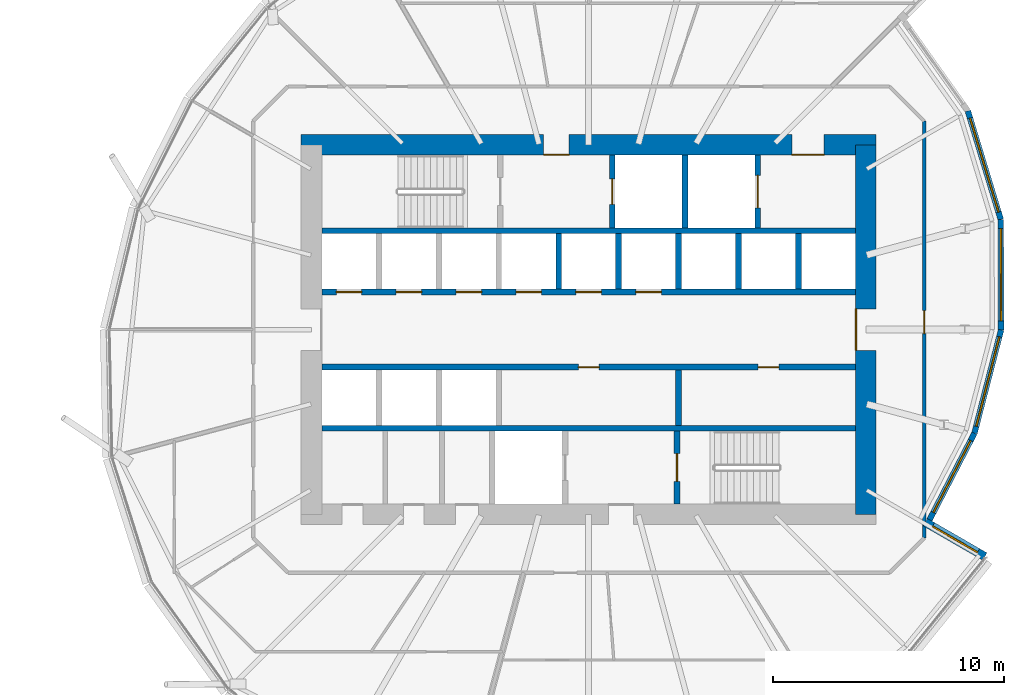
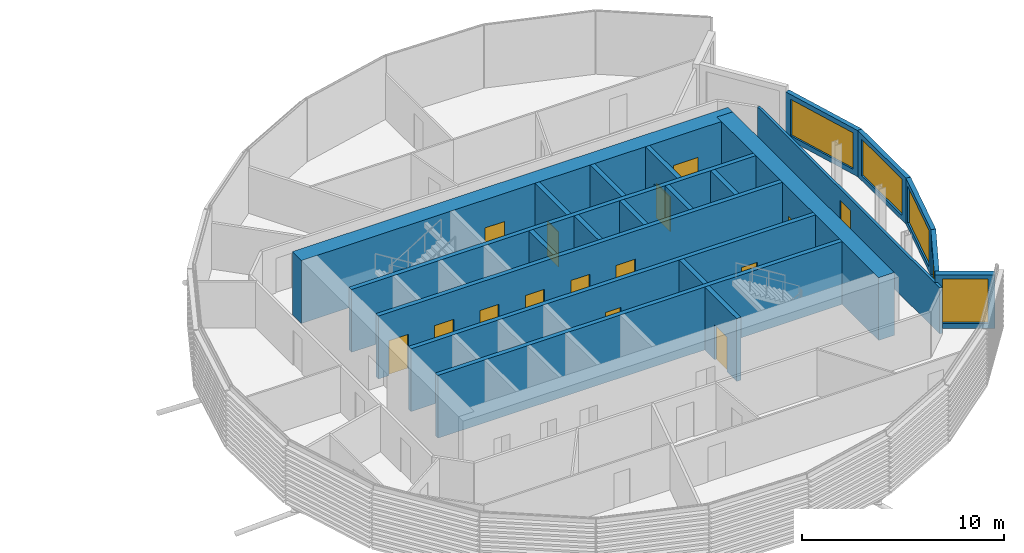
# One storey, part 23 of 36: 22 walls, 15 doors, 5 windows, 20 openings.
"""IFC4 building model written with IfcOpenShell, lengths in metres."""

from ifc_helpers import new_model, si_unit, direction, frame, frame_2d, origin, place, context, subcontext, project, spatial, rectangle, extrude, material, layer, layer_set, type_object, element, fill, save


model = new_model("IFC4")

# Units and contexts
model_context = context("Model", 3, precision=1e-05, world=origin(), true_north=direction((0.0, 1.0)))
body_context = subcontext(model_context, "Body", "Model", "MODEL_VIEW")
ifc_project = project(units=[si_unit("LENGTHUNIT", "METRE"), si_unit("AREAUNIT", "SQUARE_METRE"), si_unit("VOLUMEUNIT", "CUBIC_METRE"), si_unit("PLANEANGLEUNIT", "RADIAN"), si_unit("MASSUNIT", "GRAM", prefix="KILO")], contexts=[model_context])

# Site, building, storey
site_placement = place(None, origin())
site = spatial("IfcSite", under=ifc_project, at=site_placement, CompositionType="ELEMENT")
building_placement = place(site_placement, origin())
building = spatial("IfcBuilding", under=site, at=building_placement, Name="Rimbun Link Towers", CompositionType="ELEMENT")
storey_placement = place(building_placement, frame((0.0, 0.0, 37.60009765625)))
storey = spatial("IfcBuildingStorey", under=building, at=storey_placement, Name="L08", CompositionType="ELEMENT", Elevation=37.60009765625)

# Wall, opening, window
ifc_material_1 = material(Name="Dark enamelled glass spandrel on insulated aluminium backpan", Category="aluminium")
ifc_layer_1 = layer(ifc_material_1, 0.25)
ifc_layer_set_1 = layer_set([ifc_layer_1], Name="CS dark enamelled spandrel wall 250")
wall_type_1 = type_object("IfcWallType", Name="CS dark enamelled spandrel wall 250", PredefinedType="STANDARD", material=ifc_layer_set_1)
wall_1_placement = place(storey_placement, frame((48.45458984375, -4.489501953125, 0.0), z_axis=(0.0, 0.0, 1.0), x_axis=(-0.460198913601, -0.887815836714, 0.0)))
wall_1 = element("IfcWall", 1, at=wall_1_placement, inside=storey, type_object=wall_type_1, Name="Crease spandrel wall", PredefinedType="STANDARD", context=body_context, shape_type="SweptSolid", body=[
    extrude(rectangle(XDim=4.218505859375, YDim=0.25, at=frame_2d((2.109375, 0.0))), origin(), (0.0, 0.0, 1.0), 2.789306640625),
])
opening_1_placement = place(wall_1_placement, frame((0.359375, 0.0, 0.300048828125)))
opening_1 = element("IfcOpeningElement", 2, at=opening_1_placement, cuts=wall_1, Name="Opening WR35H220", PredefinedType="OPENING", context=body_context, shape_type="SweptSolid", body=[
    extrude(rectangle(XDim=3.5, YDim=2.199951171875, at=frame_2d((1.75, 1.10009765625))), frame((0.0, 0.135009765625, 0.0), z_axis=(0.0, -1.0, 0.0), x_axis=(1.0, 0.0, 0.0)), (0.0, 0.0, 1.0), 0.27001953125),
])
ifc_material_2 = material(Name="Aluminium framed fixed window, dark tinted low-e glass", Category="aluminium")
window_type_1 = type_object("IfcWindowType", Name="WR ribbon window 3500X2200", PartitioningType="SINGLE_PANEL", PredefinedType="WINDOW", material=ifc_material_2)
window_1_placement = place(opening_1_placement, origin())
window_1 = element("IfcWindow", 3, at=window_1_placement, inside=storey, type_object=window_type_1, Name="Crease ribbon window", OverallHeight=2.199951171875, OverallWidth=3.5, PartitioningType="SINGLE_PANEL", PredefinedType="WINDOW", context=body_context, shape_type="SweptSolid", body=[
    extrude(rectangle(XDim=3.5, YDim=2.199951171875, at=frame_2d((1.75, 1.10009765625))), frame((0.0, 0.030029296875, 0.0), z_axis=(0.0, -1.0, 0.0), x_axis=(1.0, 0.0, 0.0)), (0.0, 0.0, 1.0), 0.06005859375),
])
fill(opening_1, window_1)

wall_2_placement = place(storey_placement, frame((49.608642578125, -0.015625, 0.0), z_axis=(0.0, 0.0, 1.0), x_axis=(-0.249777337068, -0.968303300566, 0.0)))
wall_2 = element("IfcWall", 4, at=wall_2_placement, inside=storey, type_object=wall_type_1, Name="Crease spandrel wall", PredefinedType="STANDARD", context=body_context, shape_type="SweptSolid", body=[
    extrude(rectangle(XDim=4.620361328125, YDim=0.25, at=frame_2d((2.31005859375, 0.0))), origin(), (0.0, 0.0, 1.0), 2.789306640625),
])
opening_2_placement = place(wall_2_placement, frame((0.31005859375, 0.0, 0.300048828125)))
opening_2 = element("IfcOpeningElement", 5, at=opening_2_placement, cuts=wall_2, Name="Opening WR40H220", PredefinedType="OPENING", context=body_context, shape_type="SweptSolid", body=[
    extrude(rectangle(XDim=4.0, YDim=2.199951171875, at=frame_2d((2.0, 1.10009765625))), frame((0.0, 0.135009765625, 0.0), z_axis=(0.0, -1.0, 0.0), x_axis=(1.0, 0.0, 0.0)), (0.0, 0.0, 1.0), 0.27001953125),
])
ifc_material_3 = material(Name="Aluminium framed fixed window, dark tinted low-e glass", Category="aluminium")
window_type_2 = type_object("IfcWindowType", Name="WR ribbon window 4000X2200", PartitioningType="SINGLE_PANEL", PredefinedType="WINDOW", material=ifc_material_3)
window_2_placement = place(opening_2_placement, origin())
window_2 = element("IfcWindow", 6, at=window_2_placement, inside=storey, type_object=window_type_2, Name="Crease ribbon window", OverallHeight=2.199951171875, OverallWidth=4.0, PartitioningType="SINGLE_PANEL", PredefinedType="WINDOW", context=body_context, shape_type="SweptSolid", body=[
    extrude(rectangle(XDim=4.0, YDim=2.199951171875, at=frame_2d((2.0, 1.10009765625))), frame((0.0, 0.030029296875, 0.0), z_axis=(0.0, -1.0, 0.0), x_axis=(1.0, 0.0, 0.0)), (0.0, 0.0, 1.0), 0.06005859375),
])
fill(opening_2, window_2)

wall_3_placement = place(storey_placement, frame((49.59423828125, 4.7666015625, 0.0), z_axis=(0.0, 0.0, 1.0), x_axis=(0.00301203453, -0.999995463814, 0.0)))
wall_3 = element("IfcWall", 7, at=wall_3_placement, inside=storey, type_object=wall_type_1, Name="Crease spandrel wall", PredefinedType="STANDARD", context=body_context, shape_type="SweptSolid", body=[
    extrude(rectangle(XDim=4.7822265625, YDim=0.25, at=frame_2d((2.39111328125, 0.0))), origin(), (0.0, 0.0, 1.0), 2.789306640625),
])
opening_3_placement = place(wall_3_placement, frame((0.39111328125, 0.0, 0.300048828125)))
opening_3 = element("IfcOpeningElement", 8, at=opening_3_placement, cuts=wall_3, Name="Opening WR40H220", PredefinedType="OPENING", context=body_context, shape_type="SweptSolid", body=[
    extrude(rectangle(XDim=4.0, YDim=2.199951171875, at=frame_2d((2.0, 1.10009765625))), frame((0.0, 0.135009765625, 0.0), z_axis=(0.0, -1.0, 0.0), x_axis=(1.0, 0.0, 0.0)), (0.0, 0.0, 1.0), 0.27001953125),
])
window_3_placement = place(opening_3_placement, origin())
window_3 = element("IfcWindow", 9, at=window_3_placement, inside=storey, type_object=window_type_2, Name="Crease ribbon window", OverallHeight=2.199951171875, OverallWidth=4.0, PartitioningType="SINGLE_PANEL", PredefinedType="WINDOW", context=body_context, shape_type="SweptSolid", body=[
    extrude(rectangle(XDim=4.0, YDim=2.199951171875, at=frame_2d((2.0, 1.10009765625))), frame((0.0, 0.030029296875, 0.0), z_axis=(0.0, -1.0, 0.0), x_axis=(1.0, 0.0, 0.0)), (0.0, 0.0, 1.0), 0.06005859375),
])
fill(opening_3, window_3)

wall_4_placement = place(storey_placement, frame((48.168701171875, 9.469482421875, 0.0), z_axis=(0.0, 0.0, 1.0), x_axis=(0.290085989359, -0.957000584523, 0.0)))
wall_4 = element("IfcWall", 10, at=wall_4_placement, inside=storey, type_object=wall_type_1, Name="Crease spandrel wall", PredefinedType="STANDARD", context=body_context, shape_type="SweptSolid", body=[
    extrude(rectangle(XDim=4.914306640625, YDim=0.25, at=frame_2d((2.45703125, 0.0))), origin(), (0.0, 0.0, 1.0), 2.789306640625),
])
opening_4_placement = place(wall_4_placement, frame((0.33203125, 0.0, 0.300048828125)))
opening_4 = element("IfcOpeningElement", 11, at=opening_4_placement, cuts=wall_4, Name="Opening WR42H220", PredefinedType="OPENING", context=body_context, shape_type="SweptSolid", body=[
    extrude(rectangle(XDim=4.25, YDim=2.199951171875, at=frame_2d((2.125, 1.10009765625))), frame((0.0, 0.135009765625, 0.0), z_axis=(0.0, -1.0, 0.0), x_axis=(1.0, 0.0, 0.0)), (0.0, 0.0, 1.0), 0.27001953125),
])
ifc_material_4 = material(Name="Aluminium framed fixed window, dark tinted low-e glass", Category="aluminium")
window_type_3 = type_object("IfcWindowType", Name="WR ribbon window 4250X2200", PartitioningType="SINGLE_PANEL", PredefinedType="WINDOW", material=ifc_material_4)
window_4_placement = place(opening_4_placement, origin())
window_4 = element("IfcWindow", 12, at=window_4_placement, inside=storey, type_object=window_type_3, Name="Crease ribbon window", OverallHeight=2.199951171875, OverallWidth=4.25, PartitioningType="SINGLE_PANEL", PredefinedType="WINDOW", context=body_context, shape_type="SweptSolid", body=[
    extrude(rectangle(XDim=4.25, YDim=2.199951171875, at=frame_2d((2.125, 1.10009765625))), frame((0.0, 0.030029296875, 0.0), z_axis=(0.0, -1.0, 0.0), x_axis=(1.0, 0.0, 0.0)), (0.0, 0.0, 1.0), 0.06005859375),
])
fill(opening_4, window_4)

ifc_material_5 = material(Name="Dark enamelled glass spandrel on insulated aluminium backpan", Category="aluminium")
ifc_layer_2 = layer(ifc_material_5, 0.3701171875)
ifc_layer_set_2 = layer_set([ifc_layer_2], Name="CS dark enamelled spandrel wall 370")
wall_type_2 = type_object("IfcWallType", Name="CS dark enamelled spandrel wall 370", PredefinedType="STANDARD", material=ifc_layer_set_2)
wall_5_placement = place(storey_placement, frame((46.322265625, -8.338134765625, 0.0), z_axis=(0.0, 0.0, 1.0), x_axis=(0.866031423615, -0.499989573202, 0.0)))
wall_5 = element("IfcWall", 13, at=wall_5_placement, inside=storey, type_object=wall_type_2, Name="Crease spandrel wall", PredefinedType="STANDARD", context=body_context, shape_type="SweptSolid", body=[
    extrude(rectangle(XDim=2.97998046875, YDim=0.3701171875, at=frame_2d((1.489990234375, 0.0))), origin(), (0.0, 0.0, 1.0), 3.223388671875),
])
opening_5_placement = place(wall_5_placement, frame((0.364990234375, 0.0, 0.300048828125)))
opening_5 = element("IfcOpeningElement", 14, at=opening_5_placement, cuts=wall_5, Name="Opening WR22H270", PredefinedType="OPENING", context=body_context, shape_type="SweptSolid", body=[
    extrude(rectangle(XDim=2.25, YDim=2.699951171875, at=frame_2d((1.125, 1.35009765625))), frame((0.0, 0.195068359375, 0.0), z_axis=(0.0, -1.0, 0.0), x_axis=(1.0, 0.0, 0.0)), (0.0, 0.0, 1.0), 0.39013671875),
])
ifc_material_6 = material(Name="Aluminium framed fixed window, dark tinted low-e glass", Category="aluminium")
window_type_4 = type_object("IfcWindowType", Name="WR ribbon window 2250X2700", PartitioningType="SINGLE_PANEL", PredefinedType="WINDOW", material=ifc_material_6)
window_5_placement = place(opening_5_placement, origin())
window_5 = element("IfcWindow", 15, at=window_5_placement, inside=storey, type_object=window_type_4, Name="Crease ribbon window", OverallHeight=2.699951171875, OverallWidth=2.25, PartitioningType="SINGLE_PANEL", PredefinedType="WINDOW", context=body_context, shape_type="SweptSolid", body=[
    extrude(rectangle(XDim=2.25, YDim=2.699951171875, at=frame_2d((1.125, 1.35009765625))), frame((0.0, 0.030029296875, 0.0), z_axis=(0.0, -1.0, 0.0), x_axis=(1.0, 0.0, 0.0)), (0.0, 0.0, 1.0), 0.06005859375),
])
fill(opening_5, window_5)

# Wall, openings, doors
ifc_material_7 = material(Name="Concrete C60/75", Category="concrete")
ifc_layer_3 = layer(ifc_material_7, 0.89990234375)
ifc_layer_set_3 = layer_set([ifc_layer_3], Name="Core shear wall 900")
wall_type_3 = type_object("IfcWallType", Name="Core shear wall 900", PredefinedType="SHEAR", material=ifc_layer_set_3)
wall_6_placement = place(storey_placement, frame((19.300048828125, 8.0, 0.0), z_axis=(0.0, 0.0, 1.0), x_axis=(1.0, 0.0, 0.0)))
wall_6 = element("IfcWall", 16, at=wall_6_placement, inside=storey, type_object=wall_type_3, Name="L08 T2 core wall N", PredefinedType="SHEAR", context=body_context, shape_type="SweptSolid", body=[
    extrude(rectangle(XDim=24.89990234375, YDim=0.89990234375, at=frame_2d((12.449951171875, 0.0))), origin(), (0.0, 0.0, 1.0), 3.7998046875),
])
opening_6_placement = place(wall_6_placement, frame((10.5, 0.0, 0.0)))
opening_6 = element("IfcOpeningElement", 17, at=opening_6_placement, cuts=wall_6, Name="Opening C2DCF01N", PredefinedType="OPENING", context=body_context, shape_type="SweptSolid", body=[
    extrude(rectangle(XDim=1.10009765625, YDim=2.10009765625, at=frame_2d((0.550048828125, 1.050048828125))), frame((0.0, 0.4599609375, 0.0), z_axis=(0.0, -1.0, 0.0), x_axis=(1.0, 0.0, 0.0)), (0.0, 0.0, 1.0), 0.919921875),
])
opening_7_placement = place(wall_6_placement, frame((21.25, 0.0, 0.0)))
opening_7 = element("IfcOpeningElement", 18, at=opening_7_placement, cuts=wall_6, Name="Opening C2DSL02N", PredefinedType="OPENING", context=body_context, shape_type="SweptSolid", body=[
    extrude(rectangle(XDim=1.39990234375, YDim=2.10009765625, at=frame_2d((0.699951171875, 1.050048828125))), frame((0.0, 0.4599609375, 0.0), z_axis=(0.0, -1.0, 0.0), x_axis=(1.0, 0.0, 0.0)), (0.0, 0.0, 1.0), 0.919921875),
])
ifc_material_8 = material(Name="Steel fire door set", Category="steel")
door_type_1 = type_object("IfcDoorType", Name="Core fire door single", OperationType="SINGLE_SWING_LEFT", PredefinedType="DOOR", material=ifc_material_8)
door_1_placement = place(opening_6_placement, origin())
door_1 = element("IfcDoor", 19, at=door_1_placement, inside=storey, type_object=door_type_1, Name="L08 T2 firefighting lobby n door", OperationType="SINGLE_SWING_LEFT", OverallHeight=2.10009765625, OverallWidth=1.10009765625, PredefinedType="DOOR", context=body_context, shape_type="SweptSolid", body=[
    extrude(rectangle(XDim=1.10009765625, YDim=2.10009765625, at=frame_2d((0.550048828125, 1.050048828125))), frame((0.0, -0.39990234375, 0.0), z_axis=(0.0, -1.0, 0.0), x_axis=(1.0, 0.0, 0.0)), (0.0, 0.0, 1.0), 0.050048828125),
])
fill(opening_6, door_1)
ifc_material_9 = material(Name="Steel fire door set", Category="steel")
door_type_2 = type_object("IfcDoorType", Name="Service lobby door double", OperationType="DOUBLE_DOOR_SINGLE_SWING", PredefinedType="DOOR", material=ifc_material_9)
door_2_placement = place(opening_7_placement, origin())
door_2 = element("IfcDoor", 20, at=door_2_placement, inside=storey, type_object=door_type_2, Name="L08 T2 service lobby door", OperationType="DOUBLE_DOOR_SINGLE_SWING", OverallHeight=2.10009765625, OverallWidth=1.39990234375, PredefinedType="DOOR", context=body_context, shape_type="SweptSolid", body=[
    extrude(rectangle(XDim=1.39990234375, YDim=2.10009765625, at=frame_2d((0.699951171875, 1.050048828125))), frame((0.0, -0.39990234375, 0.0), z_axis=(0.0, -1.0, 0.0), x_axis=(1.0, 0.0, 0.0)), (0.0, 0.0, 1.0), 0.050048828125),
])
fill(opening_7, door_2)

# Wall, opening, door
wall_7_placement = place(storey_placement, frame((43.75, -8.0, 0.0), z_axis=(0.0, 0.0, 1.0), x_axis=(0.0, 1.0, 0.0)))
wall_7 = element("IfcWall", 21, at=wall_7_placement, inside=storey, type_object=wall_type_3, Name="L08 T2 core wall E", PredefinedType="SHEAR", context=body_context, shape_type="SweptSolid", body=[
    extrude(rectangle(XDim=16.0, YDim=0.89990234375, at=frame_2d((8.0, 0.0))), origin(), (0.0, 0.0, 1.0), 3.7998046875),
])
opening_8_placement = place(wall_7_placement, frame((7.10009765625, 0.0, 0.0)))
opening_8 = element("IfcOpeningElement", 22, at=opening_8_placement, cuts=wall_7, Name="Opening C2DCL01E", PredefinedType="OPENING", context=body_context, shape_type="SweptSolid", body=[
    extrude(rectangle(XDim=1.800048828125, YDim=2.10009765625, at=frame_2d((0.89990234375, 1.050048828125))), frame((0.0, 0.4599609375, 0.0), z_axis=(0.0, -1.0, 0.0), x_axis=(1.0, 0.0, 0.0)), (0.0, 0.0, 1.0), 0.919921875),
])
ifc_material_10 = material(Name="Steel fire door set", Category="steel")
door_type_3 = type_object("IfcDoorType", Name="Core lobby door double", OperationType="DOUBLE_DOOR_SINGLE_SWING", PredefinedType="DOOR", material=ifc_material_10)
door_3_placement = place(opening_8_placement, origin())
door_3 = element("IfcDoor", 23, at=door_3_placement, inside=storey, type_object=door_type_3, Name="L08 T2 lift lobby door", OperationType="DOUBLE_DOOR_SINGLE_SWING", OverallHeight=2.10009765625, OverallWidth=1.800048828125, PredefinedType="DOOR", context=body_context, shape_type="SweptSolid", body=[
    extrude(rectangle(XDim=1.800048828125, YDim=2.10009765625, at=frame_2d((0.89990234375, 1.050048828125))), frame((0.0, 0.4501953125, 0.0), z_axis=(0.0, -1.0, 0.0), x_axis=(1.0, 0.0, 0.0)), (0.0, 0.0, 1.0), 0.050048828125),
])
fill(opening_8, door_3)

ifc_material_11 = material(Name="Plasterboard on steel stud, mineral wool", Category="steel")
ifc_layer_4 = layer(ifc_material_11, 0.14990234375)
ifc_layer_set_4 = layer_set([ifc_layer_4], Name="Corridor wall EI 30 150 mm")
wall_type_4 = type_object("IfcWallType", Name="Corridor wall EI 30 150 mm", PredefinedType="PARTITIONING", material=ifc_layer_set_4)
wall_8_placement = place(storey_placement, frame((46.27490234375, 9.026611328125, 0.0), z_axis=(0.0, 0.0, 1.0), x_axis=(0.0, -1.0, 0.0)))
wall_8 = element("IfcWall", 24, at=wall_8_placement, inside=storey, type_object=wall_type_4, Name="Corridor wall EI 30 150 mm", PredefinedType="PARTITIONING", context=body_context, shape_type="SweptSolid", body=[
    extrude(rectangle(XDim=18.05322265625, YDim=0.14990234375, at=frame_2d((9.026611328125, 0.0))), origin(), (0.0, 0.0, 1.0), 2.77880859375),
])
opening_9_placement = place(wall_8_placement, frame((8.206298828125, 0.0, 0.0)))
opening_9 = element("IfcOpeningElement", 25, at=opening_9_placement, cuts=wall_8, Name="Opening D01", PredefinedType="OPENING", context=body_context, shape_type="SweptSolid", body=[
    extrude(rectangle(XDim=1.0, YDim=2.10009765625, at=frame_2d((0.5, 1.050048828125))), frame((0.0, 0.0849609375, 0.0), z_axis=(0.0, -1.0, 0.0), x_axis=(1.0, 0.0, 0.0)), (0.0, 0.0, 1.0), 0.169921875),
])
ifc_material_12 = material(Name="Fire-resisting timber door leaf", Category="wood")
door_type_4 = type_object("IfcDoorType", Name="Fire door FD30S 1000", OperationType="NOTDEFINED", PredefinedType="DOOR", material=ifc_material_12)
door_4_placement = place(opening_9_placement, origin())
door_4 = element("IfcDoor", 26, at=door_4_placement, inside=storey, type_object=door_type_4, Name="Fire door FD30S 1000 to Terrace office", OperationType="SINGLE_SWING_RIGHT", OverallHeight=2.10009765625, OverallWidth=1.0, PredefinedType="DOOR", context=body_context, shape_type="SweptSolid", body=[
    extrude(rectangle(XDim=1.0, YDim=2.10009765625, at=frame_2d((0.5, 1.050048828125))), frame((0.0, 0.02490234375, 0.0), z_axis=(0.0, -1.0, 0.0), x_axis=(1.0, 0.0, 0.0)), (0.0, 0.0, 1.0), 0.050048828125),
])
fill(opening_9, door_4)

# Walls
ifc_material_13 = material(Name="Concrete C60/75", Category="concrete")
ifc_layer_5 = layer(ifc_material_13, 0.25)
ifc_layer_set_5 = layer_set([ifc_layer_5], Name="Shaft wall 250")
wall_type_5 = type_object("IfcWallType", Name="Shaft wall 250", PredefinedType="SHEAR", material=ifc_layer_set_5)
for number, where, z_axis, x_axis, name in (
    (27, (20.199951171875, 4.27490234375, 0.0), (0.0, 0.0, 1.0), (1.0, 0.0, 0.0), "L08 T2 core wall BN"),
    (28, (20.199951171875, -4.27490234375, 0.0), (0.0, 0.0, 1.0), (1.0, 0.0, 0.0), "L08 T2 core wall BS"),
):
    element("IfcWall", number, at=place(storey_placement, frame(where, z_axis=z_axis, x_axis=x_axis)), inside=storey, type_object=wall_type_5, Name=name, PredefinedType="SHEAR", context=body_context, shape_type="SweptSolid", body=[
        extrude(rectangle(XDim=23.10009765625, YDim=0.25, at=frame_2d((11.550048828125, 0.0))), origin(), (0.0, 0.0, 1.0), 3.7998046875),
    ])

# Wall, openings, doors
wall_9_placement = place(storey_placement, frame((20.199951171875, 1.625, 0.0), z_axis=(0.0, 0.0, 1.0), x_axis=(1.0, 0.0, 0.0)))
wall_9 = element("IfcWall", 29, at=wall_9_placement, inside=storey, type_object=wall_type_5, Name="L08 T2 core wall FN", PredefinedType="SHEAR", context=body_context, shape_type="SweptSolid", body=[
    extrude(rectangle(XDim=23.10009765625, YDim=0.25, at=frame_2d((11.550048828125, 0.0))), origin(), (0.0, 0.0, 1.0), 3.7998046875),
])
opening_10_placement = place(wall_9_placement, frame((0.622314453125, 0.0, 0.0)))
opening_10 = element("IfcOpeningElement", 30, at=opening_10_placement, cuts=wall_9, Name="Opening LD-T2-LR1", PredefinedType="OPENING", context=body_context, shape_type="SweptSolid", body=[
    extrude(rectangle(XDim=1.10009765625, YDim=2.10009765625, at=frame_2d((0.550048828125, 1.050048828125))), frame((0.0, 0.135009765625, 0.0), z_axis=(0.0, -1.0, 0.0), x_axis=(1.0, 0.0, 0.0)), (0.0, 0.0, 1.0), 0.27001953125),
])
opening_11_placement = place(wall_9_placement, frame((3.216796875, 0.0, 0.0)))
opening_11 = element("IfcOpeningElement", 31, at=opening_11_placement, cuts=wall_9, Name="Opening LD-T2-LR2", PredefinedType="OPENING", context=body_context, shape_type="SweptSolid", body=[
    extrude(rectangle(XDim=1.10009765625, YDim=2.10009765625, at=frame_2d((0.550048828125, 1.050048828125))), frame((0.0, 0.135009765625, 0.0), z_axis=(0.0, -1.0, 0.0), x_axis=(1.0, 0.0, 0.0)), (0.0, 0.0, 1.0), 0.27001953125),
])
opening_12_placement = place(wall_9_placement, frame((5.81103515625, 0.0, 0.0)))
opening_12 = element("IfcOpeningElement", 32, at=opening_12_placement, cuts=wall_9, Name="Opening LD-T2-LR3", PredefinedType="OPENING", context=body_context, shape_type="SweptSolid", body=[
    extrude(rectangle(XDim=1.10009765625, YDim=2.10009765625, at=frame_2d((0.550048828125, 1.050048828125))), frame((0.0, 0.135009765625, 0.0), z_axis=(0.0, -1.0, 0.0), x_axis=(1.0, 0.0, 0.0)), (0.0, 0.0, 1.0), 0.27001953125),
])
opening_13_placement = place(wall_9_placement, frame((8.405517578125, 0.0, 0.0)))
opening_13 = element("IfcOpeningElement", 33, at=opening_13_placement, cuts=wall_9, Name="Opening LD-T2-LR4", PredefinedType="OPENING", context=body_context, shape_type="SweptSolid", body=[
    extrude(rectangle(XDim=1.10009765625, YDim=2.10009765625, at=frame_2d((0.550048828125, 1.050048828125))), frame((0.0, 0.135009765625, 0.0), z_axis=(0.0, -1.0, 0.0), x_axis=(1.0, 0.0, 0.0)), (0.0, 0.0, 1.0), 0.27001953125),
])
opening_14_placement = place(wall_9_placement, frame((11.0, 0.0, 0.0)))
opening_14 = element("IfcOpeningElement", 34, at=opening_14_placement, cuts=wall_9, Name="Opening LD-T2-LR5", PredefinedType="OPENING", context=body_context, shape_type="SweptSolid", body=[
    extrude(rectangle(XDim=1.10009765625, YDim=2.10009765625, at=frame_2d((0.550048828125, 1.050048828125))), frame((0.0, 0.135009765625, 0.0), z_axis=(0.0, -1.0, 0.0), x_axis=(1.0, 0.0, 0.0)), (0.0, 0.0, 1.0), 0.27001953125),
])
opening_15_placement = place(wall_9_placement, frame((13.594482421875, 0.0, 0.0)))
opening_15 = element("IfcOpeningElement", 35, at=opening_15_placement, cuts=wall_9, Name="Opening LD-T2-LR6", PredefinedType="OPENING", context=body_context, shape_type="SweptSolid", body=[
    extrude(rectangle(XDim=1.10009765625, YDim=2.10009765625, at=frame_2d((0.550048828125, 1.050048828125))), frame((0.0, 0.135009765625, 0.0), z_axis=(0.0, -1.0, 0.0), x_axis=(1.0, 0.0, 0.0)), (0.0, 0.0, 1.0), 0.27001953125),
])
ifc_material_14 = material(Name="Stainless steel grade 316", Category="steel")
door_type_5 = type_object("IfcDoorType", Name="Lift landing door", OperationType="DOUBLE_DOOR_SLIDING", PredefinedType="DOOR", material=ifc_material_14)
door_5_placement = place(opening_10_placement, origin())
door_5 = element("IfcDoor", 36, at=door_5_placement, inside=storey, type_object=door_type_5, Name="L08 T2 lift LR1 landing door", OperationType="DOUBLE_DOOR_SLIDING", OverallHeight=2.10009765625, OverallWidth=1.10009765625, PredefinedType="DOOR", context=body_context, shape_type="SweptSolid", body=[
    extrude(rectangle(XDim=1.10009765625, YDim=2.10009765625, at=frame_2d((0.550048828125, 1.050048828125))), frame((0.0, 0.02490234375, 0.0), z_axis=(0.0, -1.0, 0.0), x_axis=(1.0, 0.0, 0.0)), (0.0, 0.0, 1.0), 0.050048828125),
])
fill(opening_10, door_5)
door_6_placement = place(opening_11_placement, origin())
door_6 = element("IfcDoor", 37, at=door_6_placement, inside=storey, type_object=door_type_5, Name="L08 T2 lift LR2 landing door", OperationType="DOUBLE_DOOR_SLIDING", OverallHeight=2.10009765625, OverallWidth=1.10009765625, PredefinedType="DOOR", context=body_context, shape_type="SweptSolid", body=[
    extrude(rectangle(XDim=1.10009765625, YDim=2.10009765625, at=frame_2d((0.550048828125, 1.050048828125))), frame((0.0, 0.02490234375, 0.0), z_axis=(0.0, -1.0, 0.0), x_axis=(1.0, 0.0, 0.0)), (0.0, 0.0, 1.0), 0.050048828125),
])
fill(opening_11, door_6)
door_7_placement = place(opening_12_placement, origin())
door_7 = element("IfcDoor", 38, at=door_7_placement, inside=storey, type_object=door_type_5, Name="L08 T2 lift LR3 landing door", OperationType="DOUBLE_DOOR_SLIDING", OverallHeight=2.10009765625, OverallWidth=1.10009765625, PredefinedType="DOOR", context=body_context, shape_type="SweptSolid", body=[
    extrude(rectangle(XDim=1.10009765625, YDim=2.10009765625, at=frame_2d((0.550048828125, 1.050048828125))), frame((0.0, 0.02490234375, 0.0), z_axis=(0.0, -1.0, 0.0), x_axis=(1.0, 0.0, 0.0)), (0.0, 0.0, 1.0), 0.050048828125),
])
fill(opening_12, door_7)
door_8_placement = place(opening_13_placement, origin())
door_8 = element("IfcDoor", 39, at=door_8_placement, inside=storey, type_object=door_type_5, Name="L08 T2 lift LR4 landing door", OperationType="DOUBLE_DOOR_SLIDING", OverallHeight=2.10009765625, OverallWidth=1.10009765625, PredefinedType="DOOR", context=body_context, shape_type="SweptSolid", body=[
    extrude(rectangle(XDim=1.10009765625, YDim=2.10009765625, at=frame_2d((0.550048828125, 1.050048828125))), frame((0.0, 0.02490234375, 0.0), z_axis=(0.0, -1.0, 0.0), x_axis=(1.0, 0.0, 0.0)), (0.0, 0.0, 1.0), 0.050048828125),
])
fill(opening_13, door_8)
door_9_placement = place(opening_14_placement, origin())
door_9 = element("IfcDoor", 40, at=door_9_placement, inside=storey, type_object=door_type_5, Name="L08 T2 lift LR5 landing door", OperationType="DOUBLE_DOOR_SLIDING", OverallHeight=2.10009765625, OverallWidth=1.10009765625, PredefinedType="DOOR", context=body_context, shape_type="SweptSolid", body=[
    extrude(rectangle(XDim=1.10009765625, YDim=2.10009765625, at=frame_2d((0.550048828125, 1.050048828125))), frame((0.0, 0.02490234375, 0.0), z_axis=(0.0, -1.0, 0.0), x_axis=(1.0, 0.0, 0.0)), (0.0, 0.0, 1.0), 0.050048828125),
])
fill(opening_14, door_9)
door_10_placement = place(opening_15_placement, origin())
door_10 = element("IfcDoor", 41, at=door_10_placement, inside=storey, type_object=door_type_5, Name="L08 T2 lift LR6 landing door", OperationType="DOUBLE_DOOR_SLIDING", OverallHeight=2.10009765625, OverallWidth=1.10009765625, PredefinedType="DOOR", context=body_context, shape_type="SweptSolid", body=[
    extrude(rectangle(XDim=1.10009765625, YDim=2.10009765625, at=frame_2d((0.550048828125, 1.050048828125))), frame((0.0, 0.02490234375, 0.0), z_axis=(0.0, -1.0, 0.0), x_axis=(1.0, 0.0, 0.0)), (0.0, 0.0, 1.0), 0.050048828125),
])
fill(opening_15, door_10)

wall_10_placement = place(storey_placement, frame((20.199951171875, -1.625, 0.0), z_axis=(0.0, 0.0, 1.0), x_axis=(1.0, 0.0, 0.0)))
wall_10 = element("IfcWall", 42, at=wall_10_placement, inside=storey, type_object=wall_type_5, Name="L08 T2 core wall FS", PredefinedType="SHEAR", context=body_context, shape_type="SweptSolid", body=[
    extrude(rectangle(XDim=23.10009765625, YDim=0.25, at=frame_2d((11.550048828125, 0.0))), origin(), (0.0, 0.0, 1.0), 3.7998046875),
])
opening_16_placement = place(wall_10_placement, frame((11.10009765625, 0.0, 0.0)))
opening_16 = element("IfcOpeningElement", 43, at=opening_16_placement, cuts=wall_10, Name="Opening C2DRS01FS", PredefinedType="OPENING", context=body_context, shape_type="SweptSolid", body=[
    extrude(rectangle(XDim=0.89990234375, YDim=2.10009765625, at=frame_2d((0.449951171875, 1.050048828125))), frame((0.0, 0.135009765625, 0.0), z_axis=(0.0, -1.0, 0.0), x_axis=(1.0, 0.0, 0.0)), (0.0, 0.0, 1.0), 0.27001953125),
])
opening_17_placement = place(wall_10_placement, frame((18.88330078125, 0.0, 0.0)))
opening_17 = element("IfcOpeningElement", 44, at=opening_17_placement, cuts=wall_10, Name="Opening C2DRS02FS", PredefinedType="OPENING", context=body_context, shape_type="SweptSolid", body=[
    extrude(rectangle(XDim=0.89990234375, YDim=2.10009765625, at=frame_2d((0.449951171875, 1.050048828125))), frame((0.0, 0.135009765625, 0.0), z_axis=(0.0, -1.0, 0.0), x_axis=(1.0, 0.0, 0.0)), (0.0, 0.0, 1.0), 0.27001953125),
])
ifc_material_15 = material(Name="Steel fire door set", Category="steel")
door_type_6 = type_object("IfcDoorType", Name="Core riser door", OperationType="SINGLE_SWING_LEFT", PredefinedType="DOOR", material=ifc_material_15)
door_11_placement = place(opening_16_placement, origin())
door_11 = element("IfcDoor", 45, at=door_11_placement, inside=storey, type_object=door_type_6, Name="L08 T2 plant room door", OperationType="SINGLE_SWING_LEFT", OverallHeight=2.10009765625, OverallWidth=0.89990234375, PredefinedType="DOOR", context=body_context, shape_type="SweptSolid", body=[
    extrude(rectangle(XDim=0.89990234375, YDim=2.10009765625, at=frame_2d((0.449951171875, 1.050048828125))), frame((0.0, 0.02490234375, 0.0), z_axis=(0.0, -1.0, 0.0), x_axis=(1.0, 0.0, 0.0)), (0.0, 0.0, 1.0), 0.050048828125),
])
fill(opening_16, door_11)
door_12_placement = place(opening_17_placement, origin())
door_12 = element("IfcDoor", 46, at=door_12_placement, inside=storey, type_object=door_type_6, Name="L08 T2 wellness room door", OperationType="SINGLE_SWING_LEFT", OverallHeight=2.10009765625, OverallWidth=0.89990234375, PredefinedType="DOOR", context=body_context, shape_type="SweptSolid", body=[
    extrude(rectangle(XDim=0.89990234375, YDim=2.10009765625, at=frame_2d((0.449951171875, 1.050048828125))), frame((0.0, 0.02490234375, 0.0), z_axis=(0.0, -1.0, 0.0), x_axis=(1.0, 0.0, 0.0)), (0.0, 0.0, 1.0), 0.050048828125),
])
fill(opening_17, door_12)

# Walls
for number, where, z_axis, x_axis, name in (
    (47, (30.452880859375, 1.75, 0.0), (0.0, 0.0, 1.0), (0.0, 1.0, 0.0), "L08 T2 core wall DN3"),
    (48, (33.047119140625, 1.75, 0.0), (0.0, 0.0, 1.0), (0.0, 1.0, 0.0), "L08 T2 core wall DN4"),
    (49, (35.6416015625, 1.75, 0.0), (0.0, 0.0, 1.0), (0.0, 1.0, 0.0), "L08 T2 core wall DN5"),
    (50, (38.236083984375, 1.75, 0.0), (0.0, 0.0, 1.0), (0.0, 1.0, 0.0), "L08 T2 core wall DN6"),
    (51, (40.83056640625, 1.75, 0.0), (0.0, 0.0, 1.0), (0.0, 1.0, 0.0), "L08 T2 core wall DN7"),
    (52, (35.6416015625, -4.14990234375, 0.0), (0.0, 0.0, 1.0), (0.0, 1.0, 0.0), "L08 T2 core wall DS5"),
):
    element("IfcWall", number, at=place(storey_placement, frame(where, z_axis=z_axis, x_axis=x_axis)), inside=storey, type_object=wall_type_5, Name=name, PredefinedType="SHEAR", context=body_context, shape_type="SweptSolid", body=[
        extrude(rectangle(XDim=2.39990234375, YDim=0.25, at=frame_2d((1.199951171875, 0.0))), origin(), (0.0, 0.0, 1.0), 3.7998046875),
    ])

# Wall, opening, door
wall_11_placement = place(storey_placement, frame((32.77490234375, 4.39990234375, 0.0), z_axis=(0.0, 0.0, 1.0), x_axis=(0.0, 1.0, 0.0)))
wall_11 = element("IfcWall", 53, at=wall_11_placement, inside=storey, type_object=wall_type_5, Name="L08 T2 core wall A2", PredefinedType="SHEAR", context=body_context, shape_type="SweptSolid", body=[
    extrude(rectangle(XDim=3.150146484375, YDim=0.25, at=frame_2d((1.5751953125, 0.0))), origin(), (0.0, 0.0, 1.0), 3.7998046875),
])
opening_18_placement = place(wall_11_placement, frame((1.02490234375, 0.0, 0.0)))
opening_18 = element("IfcOpeningElement", 54, at=opening_18_placement, cuts=wall_11, Name="Opening LD-T2-FF1", PredefinedType="OPENING", context=body_context, shape_type="SweptSolid", body=[
    extrude(rectangle(XDim=1.10009765625, YDim=2.10009765625, at=frame_2d((0.550048828125, 1.050048828125))), frame((0.0, 0.135009765625, 0.0), z_axis=(0.0, -1.0, 0.0), x_axis=(1.0, 0.0, 0.0)), (0.0, 0.0, 1.0), 0.27001953125),
])
door_13_placement = place(opening_18_placement, origin())
door_13 = element("IfcDoor", 55, at=door_13_placement, inside=storey, type_object=door_type_5, Name="L08 T2 lift FF1 landing door", OperationType="DOUBLE_DOOR_SLIDING", OverallHeight=2.10009765625, OverallWidth=1.10009765625, PredefinedType="DOOR", context=body_context, shape_type="SweptSolid", body=[
    extrude(rectangle(XDim=1.10009765625, YDim=2.10009765625, at=frame_2d((0.550048828125, 1.050048828125))), frame((0.0, 0.02490234375, 0.0), z_axis=(0.0, -1.0, 0.0), x_axis=(1.0, 0.0, 0.0)), (0.0, 0.0, 1.0), 0.050048828125),
])
fill(opening_18, door_13)

# Wall
wall_12_placement = place(storey_placement, frame((35.925048828125, 4.39990234375, 0.0), z_axis=(0.0, 0.0, 1.0), x_axis=(0.0, 1.0, 0.0)))
element("IfcWall", 56, at=wall_12_placement, inside=storey, type_object=wall_type_5, Name="L08 T2 core wall A3", PredefinedType="SHEAR", context=body_context, shape_type="SweptSolid", body=[
    extrude(rectangle(XDim=3.150146484375, YDim=0.25, at=frame_2d((1.5751953125, 0.0))), origin(), (0.0, 0.0, 1.0), 3.7998046875),
])

# Wall, opening, door
wall_13_placement = place(storey_placement, frame((39.074951171875, 4.39990234375, 0.0), z_axis=(0.0, 0.0, 1.0), x_axis=(0.0, 1.0, 0.0)))
wall_13 = element("IfcWall", 57, at=wall_13_placement, inside=storey, type_object=wall_type_5, Name="L08 T2 core wall A4", PredefinedType="SHEAR", context=body_context, shape_type="SweptSolid", body=[
    extrude(rectangle(XDim=3.150146484375, YDim=0.25, at=frame_2d((1.5751953125, 0.0))), origin(), (0.0, 0.0, 1.0), 3.7998046875),
])
opening_19_placement = place(wall_13_placement, frame((0.875, 0.0, 0.0)))
opening_19 = element("IfcOpeningElement", 58, at=opening_19_placement, cuts=wall_13, Name="Opening LD-T2-GL1", PredefinedType="OPENING", context=body_context, shape_type="SweptSolid", body=[
    extrude(rectangle(XDim=1.39990234375, YDim=2.10009765625, at=frame_2d((0.699951171875, 1.050048828125))), frame((0.0, 0.135009765625, 0.0), z_axis=(0.0, -1.0, 0.0), x_axis=(1.0, 0.0, 0.0)), (0.0, 0.0, 1.0), 0.27001953125),
])
ifc_material_16 = material(Name="Stainless steel grade 316", Category="steel")
door_type_7 = type_object("IfcDoorType", Name="Goods lift landing door", OperationType="DOUBLE_DOOR_SLIDING", PredefinedType="DOOR", material=ifc_material_16)
door_14_placement = place(opening_19_placement, origin())
door_14 = element("IfcDoor", 59, at=door_14_placement, inside=storey, type_object=door_type_7, Name="L08 T2 lift GL1 landing door", OperationType="DOUBLE_DOOR_SLIDING", OverallHeight=2.10009765625, OverallWidth=1.39990234375, PredefinedType="DOOR", context=body_context, shape_type="SweptSolid", body=[
    extrude(rectangle(XDim=1.39990234375, YDim=2.10009765625, at=frame_2d((0.699951171875, 1.050048828125))), frame((0.0, 0.02490234375, 0.0), z_axis=(0.0, -1.0, 0.0), x_axis=(1.0, 0.0, 0.0)), (0.0, 0.0, 1.0), 0.050048828125),
])
fill(opening_19, door_14)

wall_14_placement = place(storey_placement, frame((35.574951171875, -4.39990234375, 0.0), z_axis=(0.0, 0.0, 1.0), x_axis=(0.0, -1.0, 0.0)))
wall_14 = element("IfcWall", 60, at=wall_14_placement, inside=storey, type_object=wall_type_5, Name="L08 T2 core wall B1", PredefinedType="SHEAR", context=body_context, shape_type="SweptSolid", body=[
    extrude(rectangle(XDim=3.150146484375, YDim=0.25, at=frame_2d((1.5751953125, 0.0))), origin(), (0.0, 0.0, 1.0), 3.7998046875),
])
opening_20_placement = place(wall_14_placement, frame((0.97509765625, 0.0, 0.0)))
opening_20 = element("IfcOpeningElement", 61, at=opening_20_placement, cuts=wall_14, Name="Opening C2DST01B1", PredefinedType="OPENING", context=body_context, shape_type="SweptSolid", body=[
    extrude(rectangle(XDim=1.199951171875, YDim=2.10009765625, at=frame_2d((0.60009765625, 1.050048828125))), frame((0.0, 0.135009765625, 0.0), z_axis=(0.0, -1.0, 0.0), x_axis=(1.0, 0.0, 0.0)), (0.0, 0.0, 1.0), 0.27001953125),
])
ifc_material_17 = material(Name="Steel fire door set", Category="steel")
door_type_8 = type_object("IfcDoorType", Name="Stair door", OperationType="SINGLE_SWING_LEFT", PredefinedType="DOOR", material=ifc_material_17)
door_15_placement = place(opening_20_placement, origin())
door_15 = element("IfcDoor", 62, at=door_15_placement, inside=storey, type_object=door_type_8, Name="L08 T2 stair b door", OperationType="SINGLE_SWING_RIGHT", OverallHeight=2.10009765625, OverallWidth=1.199951171875, PredefinedType="DOOR", context=body_context, shape_type="SweptSolid", body=[
    extrude(rectangle(XDim=1.199951171875, YDim=2.10009765625, at=frame_2d((0.60009765625, 1.050048828125))), frame((0.0, 0.02490234375, 0.0), z_axis=(0.0, -1.0, 0.0), x_axis=(1.0, 0.0, 0.0)), (0.0, 0.0, 1.0), 0.050048828125),
])
fill(opening_20, door_15)

save(model, "model.ifc")
